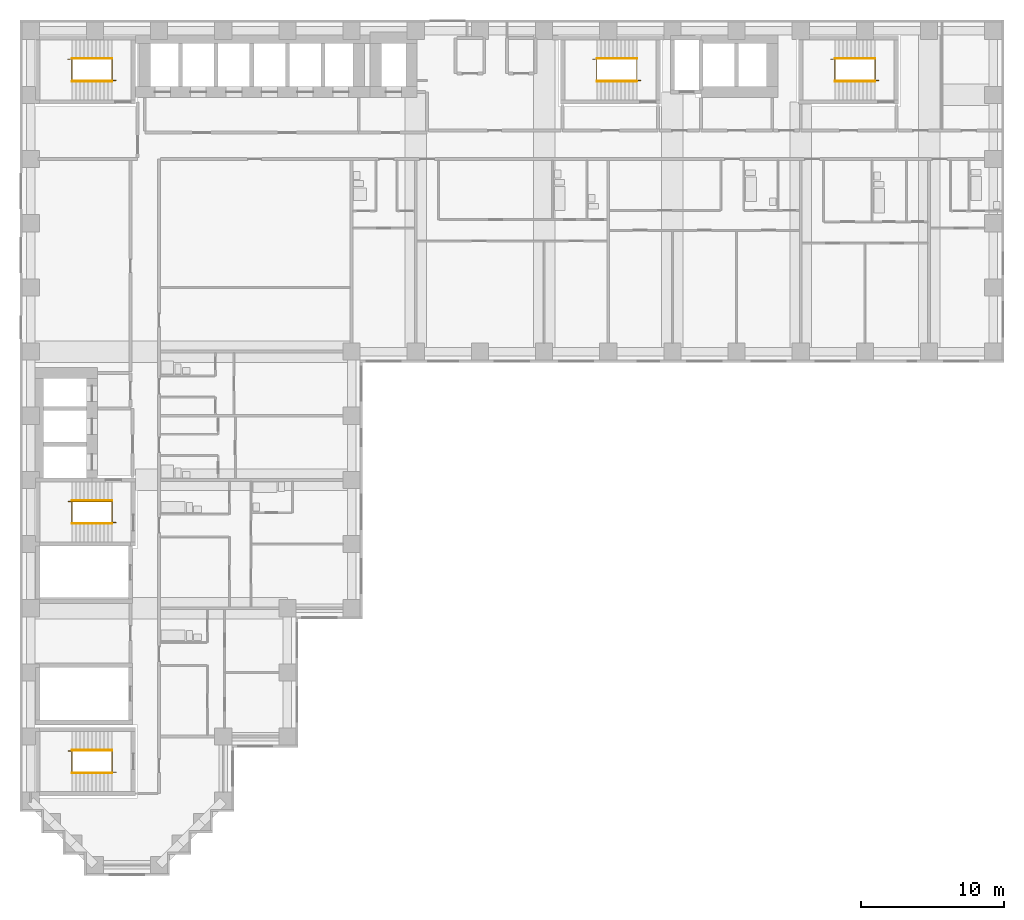
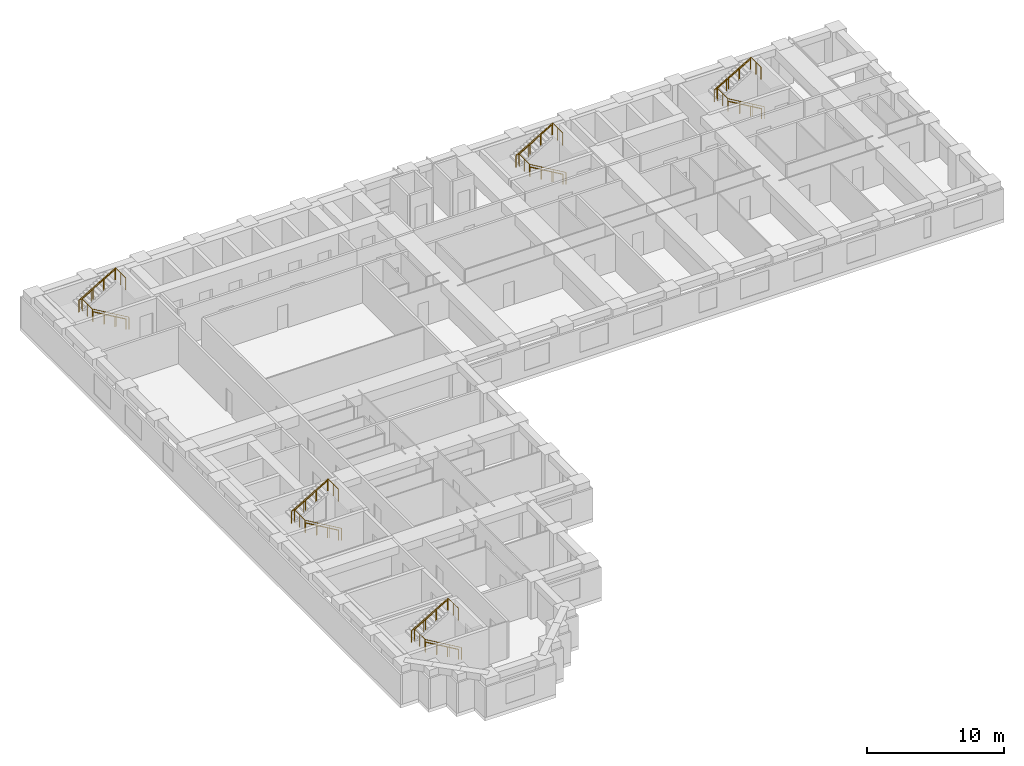
# One storey, part 10 of 11: 15 railings.
"""IFC4 building model written with IfcOpenShell, lengths in metres."""

from ifc_helpers import new_model, si_unit, direction, frame, origin, origin_2d, place, context, subcontext, project, spatial, circle, extrude, material, type_object, element, save


model = new_model("IFC4")

# Units and contexts
model_context = context("Model", 3, precision=1e-05, world=origin(), true_north=direction((0.0, 1.0)))
body_context = subcontext(model_context, "Body", "Model", "MODEL_VIEW")
ifc_project = project(units=[si_unit("LENGTHUNIT", "METRE"), si_unit("AREAUNIT", "SQUARE_METRE"), si_unit("VOLUMEUNIT", "CUBIC_METRE"), si_unit("PLANEANGLEUNIT", "RADIAN"), si_unit("MASSUNIT", "GRAM", prefix="KILO")], contexts=[model_context])

# Site, building, storey
site_placement = place(None, origin())
site = spatial("IfcSite", under=ifc_project, at=site_placement, CompositionType="ELEMENT")
building_placement = place(site_placement, origin())
building = spatial("IfcBuilding", under=site, at=building_placement, Name="Firuza Court", CompositionType="ELEMENT")
storey_placement = place(building_placement, frame((0.0, 0.0, 61.39990234375)))
storey = spatial("IfcBuildingStorey", under=building, at=storey_placement, Name="L14", CompositionType="ELEMENT", Elevation=61.39990234375)

# Railings
ifc_material_1 = material(Name="Steel S355", Category="steel")
railing_type_1 = type_object("IfcRailingType", Name="Handrail 900", PredefinedType="HANDRAIL", material=ifc_material_1)
railing_1_placement = place(storey_placement, frame((42.5, 54.949951171875, 0.163818359375)))
element("IfcRailing", 1, at=railing_1_placement, inside=storey, type_object=railing_type_1, Name="Handrail S1 flight 1", PredefinedType="HANDRAIL", context=body_context, shape_type="SweptSolid", body=[
    extrude(circle(Radius=0.02490234375, at=origin_2d()), frame((0.0, 0.0, 0.875), z_axis=(-0.863393664356, 0.0, 0.504530851732), x_axis=(0.0, -1.0, 0.0)), (0.0, 0.0, 1.0), 3.2431640625),
    extrude(circle(Radius=0.02001953125, at=origin_2d()), origin(), (0.0, 0.0, 1.0), 0.849853515625),
    extrude(circle(Radius=0.02001953125, at=origin_2d()), frame((-0.933349609375, 0.0, 0.54541015625)), (0.0, 0.0, 1.0), 0.849853515625),
    extrude(circle(Radius=0.02001953125, at=origin_2d()), frame((-1.86669921875, 0.0, 1.0908203125)), (0.0, 0.0, 1.0), 0.849853515625),
    extrude(circle(Radius=0.02001953125, at=origin_2d()), frame((-2.800048828125, 0.0, 1.63623046875)), (0.0, 0.0, 1.0), 0.849853515625),
])
railing_2_placement = place(storey_placement, frame((39.699951171875, 56.550048828125, 1.963623046875)))
element("IfcRailing", 2, at=railing_2_placement, inside=storey, type_object=railing_type_1, Name="Handrail S1 flight 2", PredefinedType="HANDRAIL", context=body_context, shape_type="SweptSolid", body=[
    extrude(circle(Radius=0.02490234375, at=origin_2d()), frame((0.0, 0.0, 0.875), z_axis=(0.863360870873, 0.0, 0.504586966384), x_axis=(0.0, 1.0, 0.0)), (0.0, 0.0, 1.0), 3.2431640625),
    extrude(circle(Radius=0.02001953125, at=origin_2d()), origin(), (0.0, 0.0, 1.0), 0.849853515625),
    extrude(circle(Radius=0.02001953125, at=origin_2d()), frame((0.933349609375, 0.0, 0.54541015625)), (0.0, 0.0, 1.0), 0.849853515625),
    extrude(circle(Radius=0.02001953125, at=origin_2d()), frame((1.86669921875, 0.0, 1.091064453125)), (0.0, 0.0, 1.0), 0.849853515625),
    extrude(circle(Radius=0.02001953125, at=origin_2d()), frame((2.800048828125, 0.0, 1.636474609375)), (0.0, 0.0, 1.0), 0.849853515625),
])
railing_3_placement = place(storey_placement, frame((5.699951171875, 23.949951171875, 0.163818359375)))
element("IfcRailing", 3, at=railing_3_placement, inside=storey, type_object=railing_type_1, Name="Handrail S2 flight 1", PredefinedType="HANDRAIL", context=body_context, shape_type="SweptSolid", body=[
    extrude(circle(Radius=0.02490234375, at=origin_2d()), frame((0.0, 0.0, 0.875), z_axis=(-0.863393664356, 0.0, 0.504530851732), x_axis=(0.0, -1.0, 0.0)), (0.0, 0.0, 1.0), 3.2431640625),
    extrude(circle(Radius=0.02001953125, at=origin_2d()), origin(), (0.0, 0.0, 1.0), 0.849853515625),
    extrude(circle(Radius=0.02001953125, at=origin_2d()), frame((-0.933349609375, 0.0, 0.54541015625)), (0.0, 0.0, 1.0), 0.849853515625),
    extrude(circle(Radius=0.02001953125, at=origin_2d()), frame((-1.86669921875, 0.0, 1.0908203125)), (0.0, 0.0, 1.0), 0.849853515625),
    extrude(circle(Radius=0.02001953125, at=origin_2d()), frame((-2.800048828125, 0.0, 1.63623046875)), (0.0, 0.0, 1.0), 0.849853515625),
])
railing_4_placement = place(storey_placement, frame((2.89990234375, 25.550048828125, 1.963623046875)))
element("IfcRailing", 4, at=railing_4_placement, inside=storey, type_object=railing_type_1, Name="Handrail S2 flight 2", PredefinedType="HANDRAIL", context=body_context, shape_type="SweptSolid", body=[
    extrude(circle(Radius=0.02490234375, at=origin_2d()), frame((0.0, 0.0, 0.875), z_axis=(0.863360870873, 0.0, 0.504586966384), x_axis=(0.0, 1.0, 0.0)), (0.0, 0.0, 1.0), 3.2431640625),
    extrude(circle(Radius=0.02001953125, at=origin_2d()), origin(), (0.0, 0.0, 1.0), 0.849853515625),
    extrude(circle(Radius=0.02001953125, at=origin_2d()), frame((0.933349609375, 0.0, 0.54541015625)), (0.0, 0.0, 1.0), 0.849853515625),
    extrude(circle(Radius=0.02001953125, at=origin_2d()), frame((1.86669921875, 0.0, 1.091064453125)), (0.0, 0.0, 1.0), 0.849853515625),
    extrude(circle(Radius=0.02001953125, at=origin_2d()), frame((2.800048828125, 0.0, 1.636474609375)), (0.0, 0.0, 1.0), 0.849853515625),
])
railing_5_placement = place(storey_placement, frame((5.699951171875, 54.949951171875, 0.163818359375)))
element("IfcRailing", 5, at=railing_5_placement, inside=storey, type_object=railing_type_1, Name="Handrail S3 flight 1", PredefinedType="HANDRAIL", context=body_context, shape_type="SweptSolid", body=[
    extrude(circle(Radius=0.02490234375, at=origin_2d()), frame((0.0, 0.0, 0.875), z_axis=(-0.863393664356, 0.0, 0.504530851732), x_axis=(0.0, -1.0, 0.0)), (0.0, 0.0, 1.0), 3.2431640625),
    extrude(circle(Radius=0.02001953125, at=origin_2d()), origin(), (0.0, 0.0, 1.0), 0.849853515625),
    extrude(circle(Radius=0.02001953125, at=origin_2d()), frame((-0.933349609375, 0.0, 0.54541015625)), (0.0, 0.0, 1.0), 0.849853515625),
    extrude(circle(Radius=0.02001953125, at=origin_2d()), frame((-1.86669921875, 0.0, 1.0908203125)), (0.0, 0.0, 1.0), 0.849853515625),
    extrude(circle(Radius=0.02001953125, at=origin_2d()), frame((-2.800048828125, 0.0, 1.63623046875)), (0.0, 0.0, 1.0), 0.849853515625),
])
railing_6_placement = place(storey_placement, frame((2.89990234375, 56.550048828125, 1.963623046875)))
element("IfcRailing", 6, at=railing_6_placement, inside=storey, type_object=railing_type_1, Name="Handrail S3 flight 2", PredefinedType="HANDRAIL", context=body_context, shape_type="SweptSolid", body=[
    extrude(circle(Radius=0.02490234375, at=origin_2d()), frame((0.0, 0.0, 0.875), z_axis=(0.863360870873, 0.0, 0.504586966384), x_axis=(0.0, 1.0, 0.0)), (0.0, 0.0, 1.0), 3.2431640625),
    extrude(circle(Radius=0.02001953125, at=origin_2d()), origin(), (0.0, 0.0, 1.0), 0.849853515625),
    extrude(circle(Radius=0.02001953125, at=origin_2d()), frame((0.933349609375, 0.0, 0.54541015625)), (0.0, 0.0, 1.0), 0.849853515625),
    extrude(circle(Radius=0.02001953125, at=origin_2d()), frame((1.86669921875, 0.0, 1.091064453125)), (0.0, 0.0, 1.0), 0.849853515625),
    extrude(circle(Radius=0.02001953125, at=origin_2d()), frame((2.800048828125, 0.0, 1.636474609375)), (0.0, 0.0, 1.0), 0.849853515625),
])
railing_7_placement = place(storey_placement, frame((59.199951171875, 54.949951171875, 0.163818359375)))
element("IfcRailing", 7, at=railing_7_placement, inside=storey, type_object=railing_type_1, Name="Handrail S4 flight 1", PredefinedType="HANDRAIL", context=body_context, shape_type="SweptSolid", body=[
    extrude(circle(Radius=0.02490234375, at=origin_2d()), frame((0.0, 0.0, 0.875), z_axis=(-0.863393664356, 0.0, 0.504530851732), x_axis=(0.0, -1.0, 0.0)), (0.0, 0.0, 1.0), 3.2431640625),
    extrude(circle(Radius=0.02001953125, at=origin_2d()), origin(), (0.0, 0.0, 1.0), 0.849853515625),
    extrude(circle(Radius=0.02001953125, at=origin_2d()), frame((-0.933349609375, 0.0, 0.54541015625)), (0.0, 0.0, 1.0), 0.849853515625),
    extrude(circle(Radius=0.02001953125, at=origin_2d()), frame((-1.86669921875, 0.0, 1.0908203125)), (0.0, 0.0, 1.0), 0.849853515625),
    extrude(circle(Radius=0.02001953125, at=origin_2d()), frame((-2.800048828125, 0.0, 1.63623046875)), (0.0, 0.0, 1.0), 0.849853515625),
])
railing_8_placement = place(storey_placement, frame((56.39990234375, 56.550048828125, 1.963623046875)))
element("IfcRailing", 8, at=railing_8_placement, inside=storey, type_object=railing_type_1, Name="Handrail S4 flight 2", PredefinedType="HANDRAIL", context=body_context, shape_type="SweptSolid", body=[
    extrude(circle(Radius=0.02490234375, at=origin_2d()), frame((0.0, 0.0, 0.875), z_axis=(0.863360870873, 0.0, 0.504586966384), x_axis=(0.0, 1.0, 0.0)), (0.0, 0.0, 1.0), 3.2431640625),
    extrude(circle(Radius=0.02001953125, at=origin_2d()), origin(), (0.0, 0.0, 1.0), 0.849853515625),
    extrude(circle(Radius=0.02001953125, at=origin_2d()), frame((0.933349609375, 0.0, 0.54541015625)), (0.0, 0.0, 1.0), 0.849853515625),
    extrude(circle(Radius=0.02001953125, at=origin_2d()), frame((1.86669921875, 0.0, 1.091064453125)), (0.0, 0.0, 1.0), 0.849853515625),
    extrude(circle(Radius=0.02001953125, at=origin_2d()), frame((2.800048828125, 0.0, 1.636474609375)), (0.0, 0.0, 1.0), 0.849853515625),
])
railing_9_placement = place(storey_placement, frame((5.699951171875, 6.449951171875, 0.163818359375)))
element("IfcRailing", 9, at=railing_9_placement, inside=storey, type_object=railing_type_1, Name="Handrail S5 flight 1", PredefinedType="HANDRAIL", context=body_context, shape_type="SweptSolid", body=[
    extrude(circle(Radius=0.02490234375, at=origin_2d()), frame((0.0, 0.0, 0.875), z_axis=(-0.863393664356, 0.0, 0.504530851732), x_axis=(0.0, -1.0, 0.0)), (0.0, 0.0, 1.0), 3.2431640625),
    extrude(circle(Radius=0.02001953125, at=origin_2d()), origin(), (0.0, 0.0, 1.0), 0.849853515625),
    extrude(circle(Radius=0.02001953125, at=origin_2d()), frame((-0.933349609375, 0.0, 0.54541015625)), (0.0, 0.0, 1.0), 0.849853515625),
    extrude(circle(Radius=0.02001953125, at=origin_2d()), frame((-1.86669921875, 0.0, 1.0908203125)), (0.0, 0.0, 1.0), 0.849853515625),
    extrude(circle(Radius=0.02001953125, at=origin_2d()), frame((-2.800048828125, 0.0, 1.63623046875)), (0.0, 0.0, 1.0), 0.849853515625),
])
railing_10_placement = place(storey_placement, frame((2.89990234375, 8.050048828125, 1.963623046875)))
element("IfcRailing", 10, at=railing_10_placement, inside=storey, type_object=railing_type_1, Name="Handrail S5 flight 2", PredefinedType="HANDRAIL", context=body_context, shape_type="SweptSolid", body=[
    extrude(circle(Radius=0.02490234375, at=origin_2d()), frame((0.0, 0.0, 0.875), z_axis=(0.863360870873, 0.0, 0.504586966384), x_axis=(0.0, 1.0, 0.0)), (0.0, 0.0, 1.0), 3.2431640625),
    extrude(circle(Radius=0.02001953125, at=origin_2d()), origin(), (0.0, 0.0, 1.0), 0.849853515625),
    extrude(circle(Radius=0.02001953125, at=origin_2d()), frame((0.933349609375, 0.0, 0.54541015625)), (0.0, 0.0, 1.0), 0.849853515625),
    extrude(circle(Radius=0.02001953125, at=origin_2d()), frame((1.86669921875, 0.0, 1.091064453125)), (0.0, 0.0, 1.0), 0.849853515625),
    extrude(circle(Radius=0.02001953125, at=origin_2d()), frame((2.800048828125, 0.0, 1.636474609375)), (0.0, 0.0, 1.0), 0.849853515625),
])
ifc_material_2 = material(Name="Steel S355", Category="steel")
railing_type_2 = type_object("IfcRailingType", Name="Stair guard 1100", PredefinedType="GUARDRAIL", material=ifc_material_2)
railing_11_placement = place(storey_placement, frame((42.780029296875, 55.010009765625, 0.0)))
element("IfcRailing", 11, at=railing_11_placement, inside=storey, type_object=railing_type_2, Name="Stair well guard S1", PredefinedType="GUARDRAIL", context=body_context, shape_type="SweptSolid", body=[
    extrude(circle(Radius=0.02490234375, at=origin_2d()), frame((0.0, 0.0, 1.0751953125), z_axis=(-0.863371556955, 0.0, 0.504568681787), x_axis=(0.0, -1.0, 0.0)), (0.0, 0.0, 1.0), 3.5673828125),
    extrude(circle(Radius=0.02490234375, at=origin_2d()), frame((-3.080078125, 0.0, 2.875), z_axis=(0.0, 1.0, 0.0), x_axis=(-1.0, 0.0, 0.0)), (0.0, 0.0, 1.0), 1.47998046875),
    extrude(circle(Radius=0.02490234375, at=origin_2d()), frame((-3.080078125, 1.47998046875, 2.875), z_axis=(-1.0, 0.0, 0.0), x_axis=(0.0, -1.0, 0.0)), (0.0, 0.0, 1.0), 0.280029296875),
    extrude(circle(Radius=0.02490234375, at=origin_2d()), frame((-3.360107421875, 1.47998046875, 2.875), z_axis=(0.863371556955, 0.0, 0.504568681787), x_axis=(0.0, 1.0, 0.0)), (0.0, 0.0, 1.0), 3.5673828125),
    extrude(circle(Radius=0.02490234375, at=origin_2d()), frame((-0.280029296875, 1.47998046875, 4.67529296875), z_axis=(0.0, -1.0, 0.0), x_axis=(1.0, 0.0, 0.0)), (0.0, 0.0, 1.0), 1.47998046875),
    extrude(circle(Radius=0.02490234375, at=origin_2d()), origin(), (0.0, 0.0, 1.0), 1.050048828125),
    extrude(circle(Radius=0.02490234375, at=origin_2d()), frame((-1.026611328125, 0.0, 0.60009765625)), (0.0, 0.0, 1.0), 1.050048828125),
    extrude(circle(Radius=0.02490234375, at=origin_2d()), frame((-2.053466796875, 0.0, 1.199951171875)), (0.0, 0.0, 1.0), 1.050048828125),
    extrude(circle(Radius=0.02490234375, at=origin_2d()), frame((-3.080078125, 0.0, 1.800048828125)), (0.0, 0.0, 1.0), 1.050048828125),
    extrude(circle(Radius=0.02490234375, at=origin_2d()), frame((-3.080078125, 0.739990234375, 1.800048828125)), (0.0, 0.0, 1.0), 1.050048828125),
    extrude(circle(Radius=0.02490234375, at=origin_2d()), frame((-3.080078125, 1.47998046875, 1.800048828125)), (0.0, 0.0, 1.0), 1.050048828125),
    extrude(circle(Radius=0.02490234375, at=origin_2d()), frame((-3.360107421875, 1.47998046875, 1.800048828125)), (0.0, 0.0, 1.0), 1.050048828125),
    extrude(circle(Radius=0.02490234375, at=origin_2d()), frame((-2.33349609375, 1.47998046875, 2.400146484375)), (0.0, 0.0, 1.0), 1.050048828125),
    extrude(circle(Radius=0.02490234375, at=origin_2d()), frame((-1.306640625, 1.47998046875, 3.0)), (0.0, 0.0, 1.0), 1.050048828125),
    extrude(circle(Radius=0.02490234375, at=origin_2d()), frame((-0.280029296875, 1.47998046875, 3.60009765625)), (0.0, 0.0, 1.0), 1.050048828125),
    extrude(circle(Radius=0.02490234375, at=origin_2d()), frame((-0.280029296875, 0.739990234375, 3.60009765625)), (0.0, 0.0, 1.0), 1.050048828125),
    extrude(circle(Radius=0.02490234375, at=origin_2d()), frame((-0.280029296875, 0.0, 3.60009765625)), (0.0, 0.0, 1.0), 1.050048828125),
])
railing_12_placement = place(storey_placement, frame((5.97998046875, 24.010009765625, 0.0)))
element("IfcRailing", 12, at=railing_12_placement, inside=storey, type_object=railing_type_2, Name="Stair well guard S2", PredefinedType="GUARDRAIL", context=body_context, shape_type="SweptSolid", body=[
    extrude(circle(Radius=0.02490234375, at=origin_2d()), frame((0.0, 0.0, 1.0751953125), z_axis=(-0.863371556955, 0.0, 0.504568681787), x_axis=(0.0, -1.0, 0.0)), (0.0, 0.0, 1.0), 3.5673828125),
    extrude(circle(Radius=0.02490234375, at=origin_2d()), frame((-3.080078125, 0.0, 2.875), z_axis=(0.0, 1.0, 0.0), x_axis=(-1.0, 0.0, 0.0)), (0.0, 0.0, 1.0), 1.47998046875),
    extrude(circle(Radius=0.02490234375, at=origin_2d()), frame((-3.080078125, 1.47998046875, 2.875), z_axis=(-1.0, 0.0, 0.0), x_axis=(0.0, -1.0, 0.0)), (0.0, 0.0, 1.0), 0.27978515625),
    extrude(circle(Radius=0.02490234375, at=origin_2d()), frame((-3.35986328125, 1.47998046875, 2.875), z_axis=(0.863354132664, 0.0, 0.504598495452), x_axis=(0.0, 1.0, 0.0)), (0.0, 0.0, 1.0), 3.5673828125),
    extrude(circle(Radius=0.02490234375, at=origin_2d()), frame((-0.280029296875, 1.47998046875, 4.67529296875), z_axis=(0.0, -1.0, 0.0), x_axis=(1.0, 0.0, 0.0)), (0.0, 0.0, 1.0), 1.47998046875),
    extrude(circle(Radius=0.02490234375, at=origin_2d()), origin(), (0.0, 0.0, 1.0), 1.050048828125),
    extrude(circle(Radius=0.02490234375, at=origin_2d()), frame((-1.026611328125, 0.0, 0.60009765625)), (0.0, 0.0, 1.0), 1.050048828125),
    extrude(circle(Radius=0.02490234375, at=origin_2d()), frame((-2.053466796875, 0.0, 1.199951171875)), (0.0, 0.0, 1.0), 1.050048828125),
    extrude(circle(Radius=0.02490234375, at=origin_2d()), frame((-3.080078125, 0.0, 1.800048828125)), (0.0, 0.0, 1.0), 1.050048828125),
    extrude(circle(Radius=0.02490234375, at=origin_2d()), frame((-3.080078125, 0.739990234375, 1.800048828125)), (0.0, 0.0, 1.0), 1.050048828125),
    extrude(circle(Radius=0.02490234375, at=origin_2d()), frame((-3.080078125, 1.47998046875, 1.800048828125)), (0.0, 0.0, 1.0), 1.050048828125),
    extrude(circle(Radius=0.02490234375, at=origin_2d()), frame((-3.35986328125, 1.47998046875, 1.800048828125)), (0.0, 0.0, 1.0), 1.050048828125),
    extrude(circle(Radius=0.02490234375, at=origin_2d()), frame((-2.333251953125, 1.47998046875, 2.400146484375)), (0.0, 0.0, 1.0), 1.050048828125),
    extrude(circle(Radius=0.02490234375, at=origin_2d()), frame((-1.306640625, 1.47998046875, 3.0)), (0.0, 0.0, 1.0), 1.050048828125),
    extrude(circle(Radius=0.02490234375, at=origin_2d()), frame((-0.280029296875, 1.47998046875, 3.60009765625)), (0.0, 0.0, 1.0), 1.050048828125),
    extrude(circle(Radius=0.02490234375, at=origin_2d()), frame((-0.280029296875, 0.739990234375, 3.60009765625)), (0.0, 0.0, 1.0), 1.050048828125),
    extrude(circle(Radius=0.02490234375, at=origin_2d()), frame((-0.280029296875, 0.0, 3.60009765625)), (0.0, 0.0, 1.0), 1.050048828125),
])
railing_13_placement = place(storey_placement, frame((5.97998046875, 55.010009765625, 0.0)))
element("IfcRailing", 13, at=railing_13_placement, inside=storey, type_object=railing_type_2, Name="Stair well guard S3", PredefinedType="GUARDRAIL", context=body_context, shape_type="SweptSolid", body=[
    extrude(circle(Radius=0.02490234375, at=origin_2d()), frame((0.0, 0.0, 1.0751953125), z_axis=(-0.863371556955, 0.0, 0.504568681787), x_axis=(0.0, -1.0, 0.0)), (0.0, 0.0, 1.0), 3.5673828125),
    extrude(circle(Radius=0.02490234375, at=origin_2d()), frame((-3.080078125, 0.0, 2.875), z_axis=(0.0, 1.0, 0.0), x_axis=(-1.0, 0.0, 0.0)), (0.0, 0.0, 1.0), 1.47998046875),
    extrude(circle(Radius=0.02490234375, at=origin_2d()), frame((-3.080078125, 1.47998046875, 2.875), z_axis=(-1.0, 0.0, 0.0), x_axis=(0.0, -1.0, 0.0)), (0.0, 0.0, 1.0), 0.27978515625),
    extrude(circle(Radius=0.02490234375, at=origin_2d()), frame((-3.35986328125, 1.47998046875, 2.875), z_axis=(0.863354132664, 0.0, 0.504598495452), x_axis=(0.0, 1.0, 0.0)), (0.0, 0.0, 1.0), 3.5673828125),
    extrude(circle(Radius=0.02490234375, at=origin_2d()), frame((-0.280029296875, 1.47998046875, 4.67529296875), z_axis=(0.0, -1.0, 0.0), x_axis=(1.0, 0.0, 0.0)), (0.0, 0.0, 1.0), 1.47998046875),
    extrude(circle(Radius=0.02490234375, at=origin_2d()), origin(), (0.0, 0.0, 1.0), 1.050048828125),
    extrude(circle(Radius=0.02490234375, at=origin_2d()), frame((-1.026611328125, 0.0, 0.60009765625)), (0.0, 0.0, 1.0), 1.050048828125),
    extrude(circle(Radius=0.02490234375, at=origin_2d()), frame((-2.053466796875, 0.0, 1.199951171875)), (0.0, 0.0, 1.0), 1.050048828125),
    extrude(circle(Radius=0.02490234375, at=origin_2d()), frame((-3.080078125, 0.0, 1.800048828125)), (0.0, 0.0, 1.0), 1.050048828125),
    extrude(circle(Radius=0.02490234375, at=origin_2d()), frame((-3.080078125, 0.739990234375, 1.800048828125)), (0.0, 0.0, 1.0), 1.050048828125),
    extrude(circle(Radius=0.02490234375, at=origin_2d()), frame((-3.080078125, 1.47998046875, 1.800048828125)), (0.0, 0.0, 1.0), 1.050048828125),
    extrude(circle(Radius=0.02490234375, at=origin_2d()), frame((-3.35986328125, 1.47998046875, 1.800048828125)), (0.0, 0.0, 1.0), 1.050048828125),
    extrude(circle(Radius=0.02490234375, at=origin_2d()), frame((-2.333251953125, 1.47998046875, 2.400146484375)), (0.0, 0.0, 1.0), 1.050048828125),
    extrude(circle(Radius=0.02490234375, at=origin_2d()), frame((-1.306640625, 1.47998046875, 3.0)), (0.0, 0.0, 1.0), 1.050048828125),
    extrude(circle(Radius=0.02490234375, at=origin_2d()), frame((-0.280029296875, 1.47998046875, 3.60009765625)), (0.0, 0.0, 1.0), 1.050048828125),
    extrude(circle(Radius=0.02490234375, at=origin_2d()), frame((-0.280029296875, 0.739990234375, 3.60009765625)), (0.0, 0.0, 1.0), 1.050048828125),
    extrude(circle(Radius=0.02490234375, at=origin_2d()), frame((-0.280029296875, 0.0, 3.60009765625)), (0.0, 0.0, 1.0), 1.050048828125),
])
railing_14_placement = place(storey_placement, frame((59.47998046875, 55.010009765625, 0.0)))
element("IfcRailing", 14, at=railing_14_placement, inside=storey, type_object=railing_type_2, Name="Stair well guard S4", PredefinedType="GUARDRAIL", context=body_context, shape_type="SweptSolid", body=[
    extrude(circle(Radius=0.02490234375, at=origin_2d()), frame((0.0, 0.0, 1.0751953125), z_axis=(-0.863371556955, 0.0, 0.504568681787), x_axis=(0.0, -1.0, 0.0)), (0.0, 0.0, 1.0), 3.5673828125),
    extrude(circle(Radius=0.02490234375, at=origin_2d()), frame((-3.080078125, 0.0, 2.875), z_axis=(0.0, 1.0, 0.0), x_axis=(-1.0, 0.0, 0.0)), (0.0, 0.0, 1.0), 1.47998046875),
    extrude(circle(Radius=0.02490234375, at=origin_2d()), frame((-3.080078125, 1.47998046875, 2.875), z_axis=(-1.0, 0.0, 0.0), x_axis=(0.0, -1.0, 0.0)), (0.0, 0.0, 1.0), 0.27978515625),
    extrude(circle(Radius=0.02490234375, at=origin_2d()), frame((-3.35986328125, 1.47998046875, 2.875), z_axis=(0.863354132664, 0.0, 0.504598495452), x_axis=(0.0, 1.0, 0.0)), (0.0, 0.0, 1.0), 3.5673828125),
    extrude(circle(Radius=0.02490234375, at=origin_2d()), frame((-0.280029296875, 1.47998046875, 4.67529296875), z_axis=(0.0, -1.0, 0.0), x_axis=(1.0, 0.0, 0.0)), (0.0, 0.0, 1.0), 1.47998046875),
    extrude(circle(Radius=0.02490234375, at=origin_2d()), origin(), (0.0, 0.0, 1.0), 1.050048828125),
    extrude(circle(Radius=0.02490234375, at=origin_2d()), frame((-1.026611328125, 0.0, 0.60009765625)), (0.0, 0.0, 1.0), 1.050048828125),
    extrude(circle(Radius=0.02490234375, at=origin_2d()), frame((-2.053466796875, 0.0, 1.199951171875)), (0.0, 0.0, 1.0), 1.050048828125),
    extrude(circle(Radius=0.02490234375, at=origin_2d()), frame((-3.080078125, 0.0, 1.800048828125)), (0.0, 0.0, 1.0), 1.050048828125),
    extrude(circle(Radius=0.02490234375, at=origin_2d()), frame((-3.080078125, 0.739990234375, 1.800048828125)), (0.0, 0.0, 1.0), 1.050048828125),
    extrude(circle(Radius=0.02490234375, at=origin_2d()), frame((-3.080078125, 1.47998046875, 1.800048828125)), (0.0, 0.0, 1.0), 1.050048828125),
    extrude(circle(Radius=0.02490234375, at=origin_2d()), frame((-3.35986328125, 1.47998046875, 1.800048828125)), (0.0, 0.0, 1.0), 1.050048828125),
    extrude(circle(Radius=0.02490234375, at=origin_2d()), frame((-2.333251953125, 1.47998046875, 2.400146484375)), (0.0, 0.0, 1.0), 1.050048828125),
    extrude(circle(Radius=0.02490234375, at=origin_2d()), frame((-1.306640625, 1.47998046875, 3.0)), (0.0, 0.0, 1.0), 1.050048828125),
    extrude(circle(Radius=0.02490234375, at=origin_2d()), frame((-0.280029296875, 1.47998046875, 3.60009765625)), (0.0, 0.0, 1.0), 1.050048828125),
    extrude(circle(Radius=0.02490234375, at=origin_2d()), frame((-0.280029296875, 0.739990234375, 3.60009765625)), (0.0, 0.0, 1.0), 1.050048828125),
    extrude(circle(Radius=0.02490234375, at=origin_2d()), frame((-0.280029296875, 0.0, 3.60009765625)), (0.0, 0.0, 1.0), 1.050048828125),
])
railing_15_placement = place(storey_placement, frame((5.97998046875, 6.510009765625, 0.0)))
element("IfcRailing", 15, at=railing_15_placement, inside=storey, type_object=railing_type_2, Name="Stair well guard S5", PredefinedType="GUARDRAIL", context=body_context, shape_type="SweptSolid", body=[
    extrude(circle(Radius=0.02490234375, at=origin_2d()), frame((0.0, 0.0, 1.0751953125), z_axis=(-0.863371556955, 0.0, 0.504568681787), x_axis=(0.0, -1.0, 0.0)), (0.0, 0.0, 1.0), 3.5673828125),
    extrude(circle(Radius=0.02490234375, at=origin_2d()), frame((-3.080078125, 0.0, 2.875), z_axis=(0.0, 1.0, 0.0), x_axis=(-1.0, 0.0, 0.0)), (0.0, 0.0, 1.0), 1.47998046875),
    extrude(circle(Radius=0.02490234375, at=origin_2d()), frame((-3.080078125, 1.47998046875, 2.875), z_axis=(-1.0, 0.0, 0.0), x_axis=(0.0, -1.0, 0.0)), (0.0, 0.0, 1.0), 0.27978515625),
    extrude(circle(Radius=0.02490234375, at=origin_2d()), frame((-3.35986328125, 1.47998046875, 2.875), z_axis=(0.863354132664, 0.0, 0.504598495452), x_axis=(0.0, 1.0, 0.0)), (0.0, 0.0, 1.0), 3.5673828125),
    extrude(circle(Radius=0.02490234375, at=origin_2d()), frame((-0.280029296875, 1.47998046875, 4.67529296875), z_axis=(0.0, -1.0, 0.0), x_axis=(1.0, 0.0, 0.0)), (0.0, 0.0, 1.0), 1.47998046875),
    extrude(circle(Radius=0.02490234375, at=origin_2d()), origin(), (0.0, 0.0, 1.0), 1.050048828125),
    extrude(circle(Radius=0.02490234375, at=origin_2d()), frame((-1.026611328125, 0.0, 0.60009765625)), (0.0, 0.0, 1.0), 1.050048828125),
    extrude(circle(Radius=0.02490234375, at=origin_2d()), frame((-2.053466796875, 0.0, 1.199951171875)), (0.0, 0.0, 1.0), 1.050048828125),
    extrude(circle(Radius=0.02490234375, at=origin_2d()), frame((-3.080078125, 0.0, 1.800048828125)), (0.0, 0.0, 1.0), 1.050048828125),
    extrude(circle(Radius=0.02490234375, at=origin_2d()), frame((-3.080078125, 0.739990234375, 1.800048828125)), (0.0, 0.0, 1.0), 1.050048828125),
    extrude(circle(Radius=0.02490234375, at=origin_2d()), frame((-3.080078125, 1.47998046875, 1.800048828125)), (0.0, 0.0, 1.0), 1.050048828125),
    extrude(circle(Radius=0.02490234375, at=origin_2d()), frame((-3.35986328125, 1.47998046875, 1.800048828125)), (0.0, 0.0, 1.0), 1.050048828125),
    extrude(circle(Radius=0.02490234375, at=origin_2d()), frame((-2.333251953125, 1.47998046875, 2.400146484375)), (0.0, 0.0, 1.0), 1.050048828125),
    extrude(circle(Radius=0.02490234375, at=origin_2d()), frame((-1.306640625, 1.47998046875, 3.0)), (0.0, 0.0, 1.0), 1.050048828125),
    extrude(circle(Radius=0.02490234375, at=origin_2d()), frame((-0.280029296875, 1.47998046875, 3.60009765625)), (0.0, 0.0, 1.0), 1.050048828125),
    extrude(circle(Radius=0.02490234375, at=origin_2d()), frame((-0.280029296875, 0.739990234375, 3.60009765625)), (0.0, 0.0, 1.0), 1.050048828125),
    extrude(circle(Radius=0.02490234375, at=origin_2d()), frame((-0.280029296875, 0.0, 3.60009765625)), (0.0, 0.0, 1.0), 1.050048828125),
])

save(model, "model.ifc")
